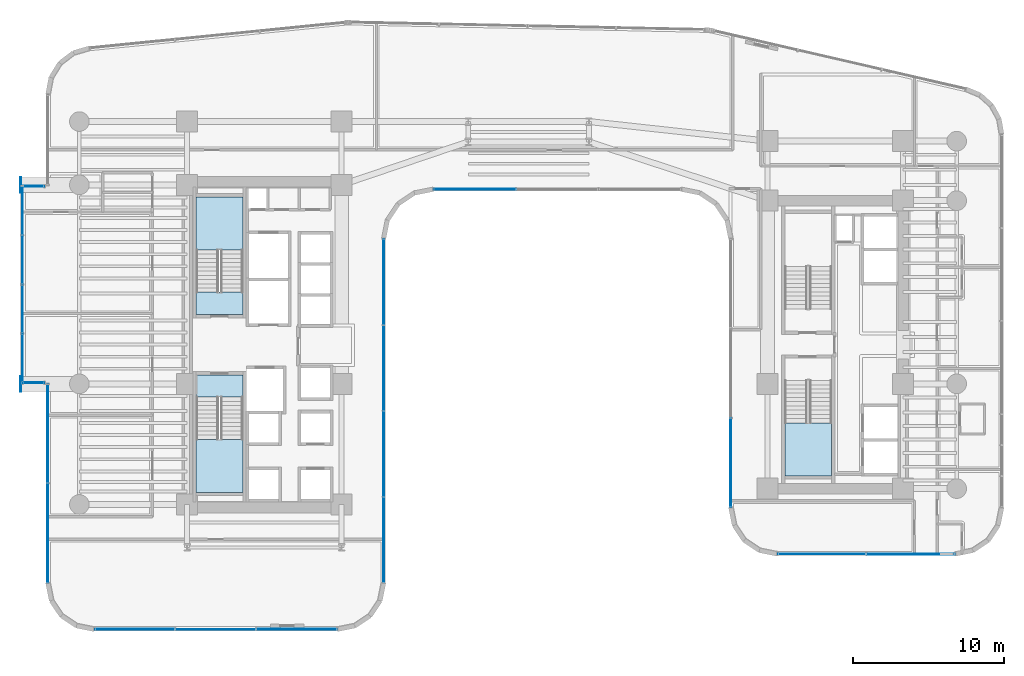
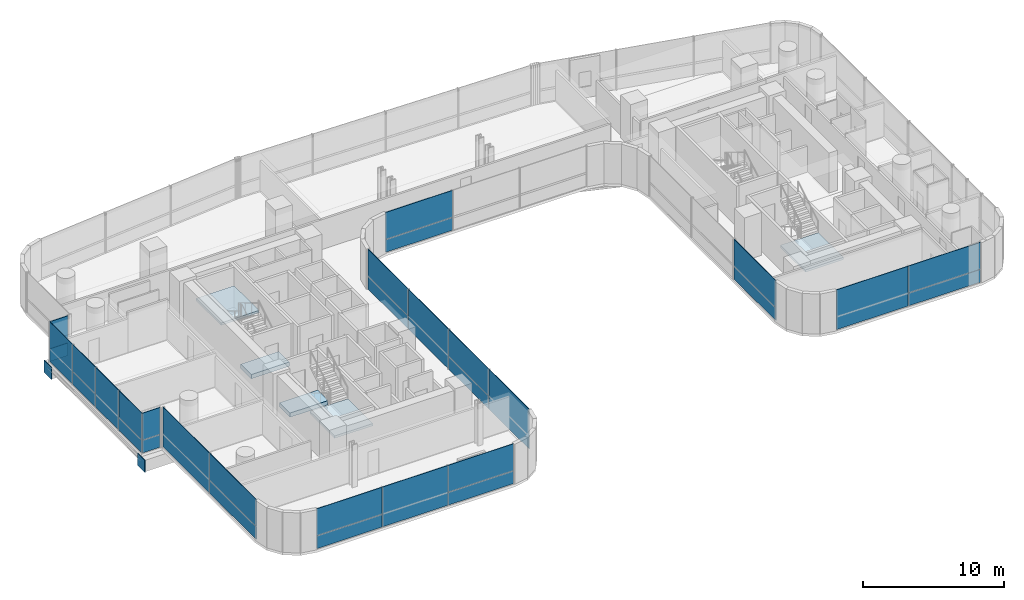
# One storey, part 27 of 39: 33 plates, 5 slabs, 12 elements without a shape of their own.
"""IFC4 building model written with IfcOpenShell, lengths in metres."""

from ifc_helpers import new_model, si_unit, direction, frame, origin, origin_2d, place, context, subcontext, project, spatial, polyline, rectangle, outline, extrude, source, transform, mapped, material, layer, layer_set, type_object, element, aggregate, save


model = new_model("IFC4")

# Units and contexts
model_context = context("Model", 3, precision=1e-05, world=origin(), true_north=direction((0.0, 1.0)))
body_context = subcontext(model_context, "Body", "Model", "MODEL_VIEW")
ifc_project = project(units=[si_unit("LENGTHUNIT", "METRE"), si_unit("AREAUNIT", "SQUARE_METRE"), si_unit("VOLUMEUNIT", "CUBIC_METRE"), si_unit("PLANEANGLEUNIT", "RADIAN"), si_unit("MASSUNIT", "GRAM", prefix="KILO")], contexts=[model_context])

# Site, building, storey
site_placement = place(None, origin())
site = spatial("IfcSite", under=ifc_project, at=site_placement, CompositionType="ELEMENT")
building_placement = place(site_placement, origin())
building = spatial("IfcBuilding", under=site, at=building_placement, Name="Valdorenza Pilgrim Sanctuary Tower", CompositionType="ELEMENT")
storey_placement = place(building_placement, frame((0.0, 0.0, 70.39990234375)))
storey = spatial("IfcBuildingStorey", under=building, at=storey_placement, Name="L17", CompositionType="ELEMENT", Elevation=70.39990234375)

# Stair, slab
ifc_material_1 = material(Name="Concrete C40/50", Category="concrete")
stair_type = type_object("IfcStairType", Name="STR-DOG-CORE", PredefinedType="HALF_TURN_STAIR", material=ifc_material_1)
stair_1_placement = place(storey_placement, origin())
stair_1 = element("IfcStair", 1, at=stair_1_placement, inside=storey, type_object=stair_type, Name="L17 ST-A1", PredefinedType="HALF_TURN_STAIR")
ifc_layer_1 = layer(ifc_material_1, 0.199951171875, Name="Concrete C40/50")
ifc_layer_set_1 = layer_set([ifc_layer_1], Name="Concrete C40/50")
slab_type_1 = type_object("IfcSlabType", Name="SLAB-STL-200", PredefinedType="LANDING", material=ifc_layer_set_1)
slab_1_placement = place(storey_placement, frame((0.0, 0.0, 1.650146484375)))
slab_1 = element("IfcSlab", 2, at=slab_1_placement, type_object=slab_type_1, Name="ST-A1 landing 1", PredefinedType="LANDING", context=body_context, shape_type="SweptSolid", body=[
    extrude(outline(polyline([(-18.93994140625, 6.280029296875), (-18.93994140625, 9.800048828125), (-22.050048828125, 9.800048828125), (-22.050048828125, 6.280029296875), (-18.93994140625, 6.280029296875)])), origin(), (0.0, 0.0, 1.0), 0.199951171875),
])
aggregate(stair_1, [slab_1])

stair_2_placement = place(storey_placement, origin())
stair_2 = element("IfcStair", 3, at=stair_2_placement, inside=storey, type_object=stair_type, Name="L17 ST-A2", PredefinedType="HALF_TURN_STAIR")
slab_2_placement = place(storey_placement, frame((0.0, 0.0, 1.650146484375)))
slab_2 = element("IfcSlab", 4, at=slab_2_placement, type_object=slab_type_1, Name="ST-A2 landing 1", PredefinedType="LANDING", context=body_context, shape_type="SweptSolid", body=[
    extrude(outline(polyline([(-22.050048828125, -6.280029296875), (-22.050048828125, -9.800048828125), (-18.93994140625, -9.800048828125), (-18.93994140625, -6.280029296875), (-22.050048828125, -6.280029296875)])), origin(), (0.0, 0.0, 1.0), 0.199951171875),
])
aggregate(stair_2, [slab_2])

stair_3_placement = place(storey_placement, origin())
stair_3 = element("IfcStair", 5, at=stair_3_placement, inside=storey, type_object=stair_type, Name="L17 ST-B2", PredefinedType="HALF_TURN_STAIR")
slab_3_placement = place(storey_placement, frame((0.0, 0.0, 1.650146484375)))
slab_3 = element("IfcSlab", 6, at=slab_3_placement, type_object=slab_type_1, Name="ST-B2 landing 1", PredefinedType="LANDING", context=body_context, shape_type="SweptSolid", body=[
    extrude(outline(polyline([(17.0, -5.179931640625), (17.0, -8.699951171875), (20.110107421875, -8.699951171875), (20.110107421875, -5.179931640625), (17.0, -5.179931640625)])), origin(), (0.0, 0.0, 1.0), 0.199951171875),
])
aggregate(stair_3, [slab_3])

# Slabs
ifc_material_2 = material(Name="Concrete C50/60", Category="concrete")
ifc_layer_2 = layer(ifc_material_2, 0.39990234375, Name="Concrete C50/60")
ifc_layer_set_2 = layer_set([ifc_layer_2], Name="Concrete C50/60")
slab_type_2 = type_object("IfcSlabType", Name="SLAB-TRF-400", PredefinedType="FLOOR", material=ifc_layer_set_2)
slab_4_placement = place(storey_placement, frame((0.0, 0.0, -0.35986328125)))
element("IfcSlab", 7, at=slab_4_placement, inside=storey, type_object=slab_type_2, Name="L17 ST-A1 Structural Stair Landing Bearing Slab", PredefinedType="FLOOR", context=body_context, shape_type="SweptSolid", body=[
    extrude(outline(polyline([(-22.050048828125, 2.0), (-18.93994140625, 2.0), (-18.93994140625, 3.485107421875), (-22.050048828125, 3.485107421875), (-22.050048828125, 2.0)])), origin(), (0.0, 0.0, 1.0), 0.35986328125),
])
slab_5_placement = place(storey_placement, frame((0.0, 0.0, -0.35986328125)))
element("IfcSlab", 8, at=slab_5_placement, inside=storey, type_object=slab_type_2, Name="L17 ST-A2 Structural Stair Landing Bearing Slab", PredefinedType="FLOOR", context=body_context, shape_type="SweptSolid", body=[
    extrude(outline(polyline([(-22.050048828125, -3.485107421875), (-18.93994140625, -3.485107421875), (-18.93994140625, -2.0), (-22.050048828125, -2.0), (-22.050048828125, -3.485107421875)])), origin(), (0.0, 0.0, 1.0), 0.35986328125),
])

# Plates
ifc_material_3 = material(Name="Steel ASTM A572 Grade 42", Category="steel")
ifc_layer_3 = layer(ifc_material_3, 0.06005859375, Name="Steel ASTM A572 Grade 42")
ifc_layer_set_3 = layer_set([ifc_layer_3], Name="Steel ASTM A572 Grade 42")
plate_type_1 = type_object("IfcPlateType", Name="PLT-CAP-60", PredefinedType="SHEET", material=ifc_layer_set_3)
shared_shape_1 = source(origin(), body_context, "Body", "SweptSolid", [
    extrude(rectangle(XDim=0.06005859375, YDim=1.0400390625, at=origin_2d()), origin(), (0.0, 0.0, 1.0), 1.0400390625),
])
for number, where, z_axis, x_axis, name in (
    (9, (-33.679931640625, 10.60009765625, -1.260009765625), (0.0, 0.0, 1.0), (1.0, 0.0, 0.0), "L17 BOX-WA-L17 Cantilever Tip End Cap N"),
    (10, (-33.679931640625, -2.60009765625, -1.260009765625), (0.0, 0.0, 1.0), (1.0, 0.0, 0.0), "L17 BOX-WA-L17 Cantilever Tip End Cap S"),
):
    element("IfcPlate", number, at=place(storey_placement, frame(where, z_axis=z_axis, x_axis=x_axis)), inside=storey, type_object=plate_type_1, Name=name, PredefinedType="SHEET", context=body_context, shape_type="MappedRepresentation", body=[
        mapped(shared_shape_1, transform((0.0, 0.0, 0.0), x_axis=(1.0, 0.0, 0.0), y_axis=(0.0, 1.0, 0.0), z_axis=(0.0, 0.0, 1.0), scale=1.0)),
    ])

# Curtain wall, plates
ifc_material_4 = material(Name="Curtain-wall IGU glazing", Category="glass")
curtain_wall_type_1 = type_object("IfcCurtainWallType", Name="CW-SYS-03", PredefinedType="NOTDEFINED", material=ifc_material_4)
curtain_wall_1_placement = place(storey_placement, origin())
curtain_wall_1 = element("IfcCurtainWall", 11, at=curtain_wall_1_placement, inside=storey, type_object=curtain_wall_type_1, Name="L17 Curtain Wall CW-L17-1-26", PredefinedType="NOTDEFINED")
ifc_material_5 = material(Name="Honed travertine limestone", Category="masonry")
ifc_layer_4 = layer(ifc_material_5, 0.050048828125, Name="Honed travertine limestone")
ifc_layer_set_4 = layer_set([ifc_layer_4], Name="Honed travertine limestone")
plate_type_2 = type_object("IfcPlateType", Name="CW-SPN-TRV", PredefinedType="USERDEFINED", material=ifc_layer_set_4)
shared_shape_2 = source(origin(), body_context, "Body", "SweptSolid", [
    extrude(rectangle(XDim=5.869140625, YDim=0.06005859375, at=origin_2d()), origin(), (0.0, 0.0, 1.0), 1.10009765625),
])
plate_1_placement = place(storey_placement, frame((25.344482421875, -13.889892578125, 0.010009765625), z_axis=(0.0, 0.0, 1.0), x_axis=(-1.0, 0.0, 0.0)))
plate_1 = element("IfcPlate", 12, at=plate_1_placement, type_object=plate_type_2, Name="CW-L17-1-26 Travertine Spandrel 1", ObjectType="SPANDREL", PredefinedType="USERDEFINED", context=body_context, shape_type="MappedRepresentation", body=[
    mapped(shared_shape_2, transform((0.0, 0.0, 0.0), x_axis=(1.0, 0.0, 0.0), y_axis=(0.0, 1.0, 0.0), z_axis=(0.0, 0.0, 1.0), scale=1.0)),
])
ifc_material_6 = material(Name="Ceramic-fritted low-E IGU glazing", Category="glass")
ifc_layer_5 = layer(ifc_material_6, 0.035888671875, Name="Ceramic-fritted low-E IGU glazing")
ifc_layer_set_5 = layer_set([ifc_layer_5], Name="Ceramic-fritted low-E IGU glazing")
plate_type_3 = type_object("IfcPlateType", Name="CW-GLZ-IGU", PredefinedType="USERDEFINED", material=ifc_layer_set_5)
shared_shape_3 = source(origin(), body_context, "Body", "SweptSolid", [
    extrude(rectangle(XDim=5.869140625, YDim=0.050048828125, at=origin_2d()), origin(), (0.0, 0.0, 1.0), 2.320068359375),
])
plate_2_placement = place(storey_placement, frame((25.344482421875, -13.889892578125, 1.1298828125), z_axis=(0.0, 0.0, 1.0), x_axis=(-1.0, 0.0, 0.0)))
plate_2 = element("IfcPlate", 13, at=plate_2_placement, type_object=plate_type_3, Name="CW-L17-1-26 Facade Panel 1", ObjectType="GLAZING", PredefinedType="USERDEFINED", context=body_context, shape_type="MappedRepresentation", body=[
    mapped(shared_shape_3, transform((0.0, 0.0, 0.0), x_axis=(1.0, 0.0, 0.0), y_axis=(0.0, 1.0, 0.0), z_axis=(0.0, 0.0, 1.0), scale=1.0)),
])
shared_shape_4 = source(origin(), body_context, "Body", "SweptSolid", [
    extrude(rectangle(XDim=5.869140625, YDim=0.050048828125, at=origin_2d()), origin(), (0.0, 0.0, 1.0), 3.43994140625),
])
plate_3_placement = place(storey_placement, frame((19.455322265625, -13.889892578125, 0.010009765625), z_axis=(0.0, 0.0, 1.0), x_axis=(-1.0, 0.0, 0.0)))
plate_3 = element("IfcPlate", 14, at=plate_3_placement, type_object=plate_type_3, Name="CW-L17-1-26 Full-Height Facade Panel 2", ObjectType="GLAZING", PredefinedType="USERDEFINED", context=body_context, shape_type="MappedRepresentation", body=[
    mapped(shared_shape_4, transform((0.0, 0.0, 0.0), x_axis=(1.0, 0.0, 0.0), y_axis=(0.0, 1.0, 0.0), z_axis=(0.0, 0.0, 1.0), scale=1.0)),
])
aggregate(curtain_wall_1, [plate_1, plate_2, plate_3])

curtain_wall_2_placement = place(storey_placement, origin())
curtain_wall_2 = element("IfcCurtainWall", 15, at=curtain_wall_2_placement, inside=storey, type_object=curtain_wall_type_1, Name="L17 Curtain Wall CW-L17-1-31", PredefinedType="NOTDEFINED")
shared_shape_5 = source(origin(), body_context, "Body", "SweptSolid", [
    extrude(rectangle(XDim=5.913330078125, YDim=0.06005859375, at=origin_2d()), origin(), (0.0, 0.0, 1.0), 1.10009765625),
])
plate_4_placement = place(storey_placement, frame((13.409912109375, -7.822509765625, 0.010009765625), z_axis=(0.0, 0.0, 1.0), x_axis=(0.0, 1.0, 0.0)))
plate_4 = element("IfcPlate", 16, at=plate_4_placement, type_object=plate_type_2, Name="CW-L17-1-31 Travertine Spandrel 1", ObjectType="SPANDREL", PredefinedType="USERDEFINED", context=body_context, shape_type="MappedRepresentation", body=[
    mapped(shared_shape_5, transform((0.0, 0.0, 0.0), x_axis=(1.0, 0.0, 0.0), y_axis=(0.0, 1.0, 0.0), z_axis=(0.0, 0.0, 1.0), scale=1.0)),
])
shared_shape_6 = source(origin(), body_context, "Body", "SweptSolid", [
    extrude(rectangle(XDim=5.913330078125, YDim=0.050048828125, at=origin_2d()), origin(), (0.0, 0.0, 1.0), 2.320068359375),
])
plate_5_placement = place(storey_placement, frame((13.409912109375, -7.822509765625, 1.1298828125), z_axis=(0.0, 0.0, 1.0), x_axis=(0.0, 1.0, 0.0)))
plate_5 = element("IfcPlate", 17, at=plate_5_placement, type_object=plate_type_3, Name="CW-L17-1-31 Facade Panel 1", ObjectType="GLAZING", PredefinedType="USERDEFINED", context=body_context, shape_type="MappedRepresentation", body=[
    mapped(shared_shape_6, transform((0.0, 0.0, 0.0), x_axis=(1.0, 0.0, 0.0), y_axis=(0.0, 1.0, 0.0), z_axis=(0.0, 0.0, 1.0), scale=1.0)),
])
aggregate(curtain_wall_2, [plate_4, plate_5])

curtain_wall_type_2 = type_object("IfcCurtainWallType", Name="CW-SYS-02", PredefinedType="NOTDEFINED", material=ifc_material_4)
curtain_wall_3_placement = place(storey_placement, origin())
curtain_wall_3 = element("IfcCurtainWall", 18, at=curtain_wall_3_placement, inside=storey, type_object=curtain_wall_type_2, Name="L17 Curtain Wall CW-L17-1-36", PredefinedType="NOTDEFINED")
shared_shape_7 = source(origin(), body_context, "Body", "SweptSolid", [
    extrude(rectangle(XDim=5.453857421875, YDim=0.06005859375, at=origin_2d()), origin(), (0.0, 0.0, 1.0), 1.10009765625),
])
plate_6_placement = place(storey_placement, frame((-3.573974609375, 10.31005859375, 0.010009765625), z_axis=(0.0, 0.0, 1.0), x_axis=(-1.0, 0.0, 0.0)))
plate_6 = element("IfcPlate", 19, at=plate_6_placement, type_object=plate_type_2, Name="CW-L17-1-36 Travertine Spandrel 3", ObjectType="SPANDREL", PredefinedType="USERDEFINED", context=body_context, shape_type="MappedRepresentation", body=[
    mapped(shared_shape_7, transform((0.0, 0.0, 0.0), x_axis=(1.0, 0.0, 0.0), y_axis=(0.0, 1.0, 0.0), z_axis=(0.0, 0.0, 1.0), scale=1.0)),
])
shared_shape_8 = source(origin(), body_context, "Body", "SweptSolid", [
    extrude(rectangle(XDim=5.453857421875, YDim=0.050048828125, at=origin_2d()), origin(), (0.0, 0.0, 1.0), 2.320068359375),
])
plate_7_placement = place(storey_placement, frame((-3.573974609375, 10.31005859375, 1.1298828125), z_axis=(0.0, 0.0, 1.0), x_axis=(-1.0, 0.0, 0.0)))
plate_7 = element("IfcPlate", 20, at=plate_7_placement, type_object=plate_type_3, Name="CW-L17-1-36 Facade Panel 3", ObjectType="GLAZING", PredefinedType="USERDEFINED", context=body_context, shape_type="MappedRepresentation", body=[
    mapped(shared_shape_8, transform((0.0, 0.0, 0.0), x_axis=(1.0, 0.0, 0.0), y_axis=(0.0, 1.0, 0.0), z_axis=(0.0, 0.0, 1.0), scale=1.0)),
])
aggregate(curtain_wall_3, [plate_6, plate_7])

curtain_wall_4_placement = place(storey_placement, origin())
curtain_wall_4 = element("IfcCurtainWall", 21, at=curtain_wall_4_placement, inside=storey, type_object=curtain_wall_type_2, Name="L17 Curtain Wall CW-L17-1-41", PredefinedType="NOTDEFINED")
shared_shape_9 = source(origin(), body_context, "Body", "SweptSolid", [
    extrude(rectangle(XDim=5.679931640625, YDim=0.06005859375, at=origin_2d()), origin(), (0.0, 0.0, 1.0), 1.10009765625),
])
plate_8_placement = place(storey_placement, frame((-9.610107421875, 4.160888671875, 0.010009765625), z_axis=(0.0, 0.0, 1.0), x_axis=(0.0, -1.0, 0.0)))
plate_8 = element("IfcPlate", 22, at=plate_8_placement, type_object=plate_type_2, Name="CW-L17-1-41 Travertine Spandrel 1", ObjectType="SPANDREL", PredefinedType="USERDEFINED", context=body_context, shape_type="MappedRepresentation", body=[
    mapped(shared_shape_9, transform((0.0, 0.0, 0.0), x_axis=(1.0, 0.0, 0.0), y_axis=(0.0, 1.0, 0.0), z_axis=(0.0, 0.0, 1.0), scale=1.0)),
])
plate_9_placement = place(storey_placement, frame((-9.610107421875, -7.2392578125, 0.010009765625), z_axis=(0.0, 0.0, 1.0), x_axis=(0.0, -1.0, 0.0)))
plate_9 = element("IfcPlate", 23, at=plate_9_placement, type_object=plate_type_2, Name="CW-L17-1-41 Travertine Spandrel 3", ObjectType="SPANDREL", PredefinedType="USERDEFINED", context=body_context, shape_type="MappedRepresentation", body=[
    mapped(shared_shape_9, transform((0.0, 0.0, 0.0), x_axis=(1.0, 0.0, 0.0), y_axis=(0.0, 1.0, 0.0), z_axis=(0.0, 0.0, 1.0), scale=1.0)),
])
shared_shape_10 = source(origin(), body_context, "Body", "SweptSolid", [
    extrude(rectangle(XDim=5.679931640625, YDim=0.050048828125, at=origin_2d()), origin(), (0.0, 0.0, 1.0), 2.320068359375),
])
plate_10_placement = place(storey_placement, frame((-9.610107421875, 4.160888671875, 1.1298828125), z_axis=(0.0, 0.0, 1.0), x_axis=(0.0, -1.0, 0.0)))
plate_10 = element("IfcPlate", 24, at=plate_10_placement, type_object=plate_type_3, Name="CW-L17-1-41 Facade Panel 1", ObjectType="GLAZING", PredefinedType="USERDEFINED", context=body_context, shape_type="MappedRepresentation", body=[
    mapped(shared_shape_10, transform((0.0, 0.0, 0.0), x_axis=(1.0, 0.0, 0.0), y_axis=(0.0, 1.0, 0.0), z_axis=(0.0, 0.0, 1.0), scale=1.0)),
])
plate_11_placement = place(storey_placement, frame((-9.610107421875, -7.2392578125, 1.1298828125), z_axis=(0.0, 0.0, 1.0), x_axis=(0.0, -1.0, 0.0)))
plate_11 = element("IfcPlate", 25, at=plate_11_placement, type_object=plate_type_3, Name="CW-L17-1-41 Facade Panel 3", ObjectType="GLAZING", PredefinedType="USERDEFINED", context=body_context, shape_type="MappedRepresentation", body=[
    mapped(shared_shape_10, transform((0.0, 0.0, 0.0), x_axis=(1.0, 0.0, 0.0), y_axis=(0.0, 1.0, 0.0), z_axis=(0.0, 0.0, 1.0), scale=1.0)),
])
shared_shape_11 = source(origin(), body_context, "Body", "SweptSolid", [
    extrude(rectangle(XDim=5.679931640625, YDim=0.050048828125, at=origin_2d()), origin(), (0.0, 0.0, 1.0), 3.43994140625),
])
plate_12_placement = place(storey_placement, frame((-9.610107421875, -1.539306640625, 0.010009765625), z_axis=(0.0, 0.0, 1.0), x_axis=(0.0, -1.0, 0.0)))
plate_12 = element("IfcPlate", 26, at=plate_12_placement, type_object=plate_type_3, Name="CW-L17-1-41 Full-Height Facade Panel 2", ObjectType="GLAZING", PredefinedType="USERDEFINED", context=body_context, shape_type="MappedRepresentation", body=[
    mapped(shared_shape_11, transform((0.0, 0.0, 0.0), x_axis=(1.0, 0.0, 0.0), y_axis=(0.0, 1.0, 0.0), z_axis=(0.0, 0.0, 1.0), scale=1.0)),
])
plate_13_placement = place(storey_placement, frame((-9.610107421875, -12.939208984375, 0.010009765625), z_axis=(0.0, 0.0, 1.0), x_axis=(0.0, -1.0, 0.0)))
plate_13 = element("IfcPlate", 27, at=plate_13_placement, type_object=plate_type_3, Name="CW-L17-1-41 Full-Height Facade Panel 4", ObjectType="GLAZING", PredefinedType="USERDEFINED", context=body_context, shape_type="MappedRepresentation", body=[
    mapped(shared_shape_11, transform((0.0, 0.0, 0.0), x_axis=(1.0, 0.0, 0.0), y_axis=(0.0, 1.0, 0.0), z_axis=(0.0, 0.0, 1.0), scale=1.0)),
])
aggregate(curtain_wall_4, [plate_8, plate_10, plate_12, plate_9, plate_11, plate_13])

curtain_wall_5_placement = place(storey_placement, origin())
curtain_wall_5 = element("IfcCurtainWall", 28, at=curtain_wall_5_placement, inside=storey, type_object=curtain_wall_type_2, Name="L17 Curtain Wall CW-L17-1-46", PredefinedType="NOTDEFINED")
shared_shape_12 = source(origin(), body_context, "Body", "SweptSolid", [
    extrude(rectangle(XDim=5.339599609375, YDim=0.06005859375, at=origin_2d()), origin(), (0.0, 0.0, 1.0), 1.10009765625),
])
plate_14_placement = place(storey_placement, frame((-15.390380859375, -18.889892578125, 0.010009765625), z_axis=(0.0, 0.0, 1.0), x_axis=(-1.0, 0.0, 0.0)))
plate_14 = element("IfcPlate", 29, at=plate_14_placement, type_object=plate_type_2, Name="CW-L17-1-46 Travertine Spandrel 1", ObjectType="SPANDREL", PredefinedType="USERDEFINED", context=body_context, shape_type="MappedRepresentation", body=[
    mapped(shared_shape_12, transform((0.0, 0.0, 0.0), x_axis=(1.0, 0.0, 0.0), y_axis=(0.0, 1.0, 0.0), z_axis=(0.0, 0.0, 1.0), scale=1.0)),
])
plate_15_placement = place(storey_placement, frame((-26.109619140625, -18.889892578125, 0.010009765625), z_axis=(0.0, 0.0, 1.0), x_axis=(-1.0, 0.0, 0.0)))
plate_15 = element("IfcPlate", 30, at=plate_15_placement, type_object=plate_type_2, Name="CW-L17-1-46 Travertine Spandrel 3", ObjectType="SPANDREL", PredefinedType="USERDEFINED", context=body_context, shape_type="MappedRepresentation", body=[
    mapped(shared_shape_12, transform((0.0, 0.0, 0.0), x_axis=(1.0, 0.0, 0.0), y_axis=(0.0, 1.0, 0.0), z_axis=(0.0, 0.0, 1.0), scale=1.0)),
])
shared_shape_13 = source(origin(), body_context, "Body", "SweptSolid", [
    extrude(rectangle(XDim=5.339599609375, YDim=0.050048828125, at=origin_2d()), origin(), (0.0, 0.0, 1.0), 2.320068359375),
])
plate_16_placement = place(storey_placement, frame((-15.390380859375, -18.889892578125, 1.1298828125), z_axis=(0.0, 0.0, 1.0), x_axis=(-1.0, 0.0, 0.0)))
plate_16 = element("IfcPlate", 31, at=plate_16_placement, type_object=plate_type_3, Name="CW-L17-1-46 Facade Panel 1", ObjectType="GLAZING", PredefinedType="USERDEFINED", context=body_context, shape_type="MappedRepresentation", body=[
    mapped(shared_shape_13, transform((0.0, 0.0, 0.0), x_axis=(1.0, 0.0, 0.0), y_axis=(0.0, 1.0, 0.0), z_axis=(0.0, 0.0, 1.0), scale=1.0)),
])
plate_17_placement = place(storey_placement, frame((-26.109619140625, -18.889892578125, 1.1298828125), z_axis=(0.0, 0.0, 1.0), x_axis=(-1.0, 0.0, 0.0)))
plate_17 = element("IfcPlate", 32, at=plate_17_placement, type_object=plate_type_3, Name="CW-L17-1-46 Facade Panel 3", ObjectType="GLAZING", PredefinedType="USERDEFINED", context=body_context, shape_type="MappedRepresentation", body=[
    mapped(shared_shape_13, transform((0.0, 0.0, 0.0), x_axis=(1.0, 0.0, 0.0), y_axis=(0.0, 1.0, 0.0), z_axis=(0.0, 0.0, 1.0), scale=1.0)),
])
shared_shape_14 = source(origin(), body_context, "Body", "SweptSolid", [
    extrude(rectangle(XDim=5.339599609375, YDim=0.050048828125, at=origin_2d()), origin(), (0.0, 0.0, 1.0), 3.43994140625),
])
plate_18_placement = place(storey_placement, frame((-20.75, -18.889892578125, 0.010009765625), z_axis=(0.0, 0.0, 1.0), x_axis=(-1.0, 0.0, 0.0)))
plate_18 = element("IfcPlate", 33, at=plate_18_placement, type_object=plate_type_3, Name="CW-L17-1-46 Full-Height Facade Panel 2", ObjectType="GLAZING", PredefinedType="USERDEFINED", context=body_context, shape_type="MappedRepresentation", body=[
    mapped(shared_shape_14, transform((0.0, 0.0, 0.0), x_axis=(1.0, 0.0, 0.0), y_axis=(0.0, 1.0, 0.0), z_axis=(0.0, 0.0, 1.0), scale=1.0)),
])
aggregate(curtain_wall_5, [plate_14, plate_16, plate_18, plate_15, plate_17])

# Curtain wall, plate
curtain_wall_6_placement = place(storey_placement, origin())
curtain_wall_6 = element("IfcCurtainWall", 34, at=curtain_wall_6_placement, inside=storey, type_object=curtain_wall_type_2, Name="L17 Curtain Wall CW-L17-BOX-WA-L17-S", PredefinedType="NOTDEFINED")
shared_shape_15 = source(origin(), body_context, "Body", "SweptSolid", [
    extrude(rectangle(XDim=1.43994140625, YDim=0.06005859375, at=origin_2d()), origin(), (0.0, 0.0, 1.0), 1.10009765625),
])
plate_19_placement = place(storey_placement, frame((-32.840087890625, -2.52001953125, 0.010009765625), z_axis=(0.0, 0.0, 1.0), x_axis=(-1.0, 0.0, 0.0)))
plate_19 = element("IfcPlate", 35, at=plate_19_placement, type_object=plate_type_2, Name="CW-L17-BOX-WA-L17-S Travertine Spandrel 1", ObjectType="SPANDREL", PredefinedType="USERDEFINED", context=body_context, shape_type="MappedRepresentation", body=[
    mapped(shared_shape_15, transform((0.0, 0.0, 0.0), x_axis=(1.0, 0.0, 0.0), y_axis=(0.0, 1.0, 0.0), z_axis=(0.0, 0.0, 1.0), scale=1.0)),
])

curtain_wall_7_placement = place(storey_placement, origin())
curtain_wall_7 = element("IfcCurtainWall", 36, at=curtain_wall_7_placement, inside=storey, type_object=curtain_wall_type_2, Name="L17 Curtain Wall CW-L17-BOX-WA-L17-N", PredefinedType="NOTDEFINED")
plate_20_placement = place(storey_placement, frame((-32.840087890625, 10.52001953125, 0.010009765625), z_axis=(0.0, 0.0, 1.0), x_axis=(1.0, 0.0, 0.0)))
plate_20 = element("IfcPlate", 37, at=plate_20_placement, type_object=plate_type_2, Name="CW-L17-BOX-WA-L17-N Travertine Spandrel 1", ObjectType="SPANDREL", PredefinedType="USERDEFINED", context=body_context, shape_type="MappedRepresentation", body=[
    mapped(shared_shape_15, transform((0.0, 0.0, 0.0), x_axis=(1.0, 0.0, 0.0), y_axis=(0.0, 1.0, 0.0), z_axis=(0.0, 0.0, 1.0), scale=1.0)),
])

# Plate
shared_shape_16 = source(origin(), body_context, "Body", "SweptSolid", [
    extrude(rectangle(XDim=1.43994140625, YDim=0.050048828125, at=origin_2d()), origin(), (0.0, 0.0, 1.0), 2.320068359375),
])
plate_21_placement = place(storey_placement, frame((-32.840087890625, -2.52001953125, 1.1298828125), z_axis=(0.0, 0.0, 1.0), x_axis=(-1.0, 0.0, 0.0)))
plate_21 = element("IfcPlate", 38, at=plate_21_placement, type_object=plate_type_3, Name="CW-L17-BOX-WA-L17-S Facade Panel 1", ObjectType="GLAZING", PredefinedType="USERDEFINED", context=body_context, shape_type="MappedRepresentation", body=[
    mapped(shared_shape_16, transform((0.0, 0.0, 0.0), x_axis=(1.0, 0.0, 0.0), y_axis=(0.0, 1.0, 0.0), z_axis=(0.0, 0.0, 1.0), scale=1.0)),
])

aggregate(curtain_wall_6, [plate_19, plate_21])

plate_22_placement = place(storey_placement, frame((-32.840087890625, 10.52001953125, 1.1298828125), z_axis=(0.0, 0.0, 1.0), x_axis=(1.0, 0.0, 0.0)))
plate_22 = element("IfcPlate", 39, at=plate_22_placement, type_object=plate_type_3, Name="CW-L17-BOX-WA-L17-N Facade Panel 1", ObjectType="GLAZING", PredefinedType="USERDEFINED", context=body_context, shape_type="MappedRepresentation", body=[
    mapped(shared_shape_16, transform((0.0, 0.0, 0.0), x_axis=(1.0, 0.0, 0.0), y_axis=(0.0, 1.0, 0.0), z_axis=(0.0, 0.0, 1.0), scale=1.0)),
])

aggregate(curtain_wall_7, [plate_20, plate_22])

# Curtain wall, plates
curtain_wall_8_placement = place(storey_placement, origin())
curtain_wall_8 = element("IfcCurtainWall", 40, at=curtain_wall_8_placement, inside=storey, type_object=curtain_wall_type_2, Name="L17 Curtain Wall CW-L17-1-1S1", PredefinedType="NOTDEFINED")
shared_shape_17 = source(origin(), body_context, "Body", "SweptSolid", [
    extrude(rectangle(XDim=6.57470703125, YDim=0.06005859375, at=origin_2d()), origin(), (0.0, 0.0, 1.0), 1.10009765625),
])
plate_23_placement = place(storey_placement, frame((-31.889892578125, -12.491943359375, 0.010009765625), z_axis=(0.0, 0.0, 1.0), x_axis=(0.0, 1.0, 0.0)))
plate_23 = element("IfcPlate", 41, at=plate_23_placement, type_object=plate_type_2, Name="CW-L17-1-1S1 Travertine Spandrel 1", ObjectType="SPANDREL", PredefinedType="USERDEFINED", context=body_context, shape_type="MappedRepresentation", body=[
    mapped(shared_shape_17, transform((0.0, 0.0, 0.0), x_axis=(1.0, 0.0, 0.0), y_axis=(0.0, 1.0, 0.0), z_axis=(0.0, 0.0, 1.0), scale=1.0)),
])
shared_shape_18 = source(origin(), body_context, "Body", "SweptSolid", [
    extrude(rectangle(XDim=6.57470703125, YDim=0.050048828125, at=origin_2d()), origin(), (0.0, 0.0, 1.0), 2.320068359375),
])
plate_24_placement = place(storey_placement, frame((-31.889892578125, -12.491943359375, 1.1298828125), z_axis=(0.0, 0.0, 1.0), x_axis=(0.0, 1.0, 0.0)))
plate_24 = element("IfcPlate", 42, at=plate_24_placement, type_object=plate_type_3, Name="CW-L17-1-1S1 Facade Panel 1", ObjectType="GLAZING", PredefinedType="USERDEFINED", context=body_context, shape_type="MappedRepresentation", body=[
    mapped(shared_shape_18, transform((0.0, 0.0, 0.0), x_axis=(1.0, 0.0, 0.0), y_axis=(0.0, 1.0, 0.0), z_axis=(0.0, 0.0, 1.0), scale=1.0)),
])
shared_shape_19 = source(origin(), body_context, "Body", "SweptSolid", [
    extrude(rectangle(XDim=6.57470703125, YDim=0.050048828125, at=origin_2d()), origin(), (0.0, 0.0, 1.0), 3.43994140625),
])
plate_25_placement = place(storey_placement, frame((-31.889892578125, -5.897216796875, 0.010009765625), z_axis=(0.0, 0.0, 1.0), x_axis=(0.0, 1.0, 0.0)))
plate_25 = element("IfcPlate", 43, at=plate_25_placement, type_object=plate_type_3, Name="CW-L17-1-1S1 Full-Height Facade Panel 2", ObjectType="GLAZING", PredefinedType="USERDEFINED", context=body_context, shape_type="MappedRepresentation", body=[
    mapped(shared_shape_19, transform((0.0, 0.0, 0.0), x_axis=(1.0, 0.0, 0.0), y_axis=(0.0, 1.0, 0.0), z_axis=(0.0, 0.0, 1.0), scale=1.0)),
])
aggregate(curtain_wall_8, [plate_23, plate_24, plate_25])

curtain_wall_9_placement = place(storey_placement, origin())
curtain_wall_9 = element("IfcCurtainWall", 44, at=curtain_wall_9_placement, inside=storey, type_object=curtain_wall_type_2, Name="L17 Curtain Wall CW-L17-BOX-WA-L17-F", PredefinedType="NOTDEFINED")
shared_shape_20 = source(origin(), body_context, "Body", "SweptSolid", [
    extrude(rectangle(XDim=3.239990234375, YDim=0.06005859375, at=origin_2d()), origin(), (0.0, 0.0, 1.0), 1.10009765625),
])
plate_26_placement = place(storey_placement, frame((-33.570068359375, -0.889892578125, 0.010009765625), z_axis=(0.0, 0.0, 1.0), x_axis=(0.0, 1.0, 0.0)))
plate_26 = element("IfcPlate", 45, at=plate_26_placement, type_object=plate_type_2, Name="CW-L17-BOX-WA-L17-F Travertine Spandrel 1", ObjectType="SPANDREL", PredefinedType="USERDEFINED", context=body_context, shape_type="MappedRepresentation", body=[
    mapped(shared_shape_20, transform((0.0, 0.0, 0.0), x_axis=(1.0, 0.0, 0.0), y_axis=(0.0, 1.0, 0.0), z_axis=(0.0, 0.0, 1.0), scale=1.0)),
])
plate_27_placement = place(storey_placement, frame((-33.570068359375, 5.6298828125, 0.010009765625), z_axis=(0.0, 0.0, 1.0), x_axis=(0.0, 1.0, 0.0)))
plate_27 = element("IfcPlate", 46, at=plate_27_placement, type_object=plate_type_2, Name="CW-L17-BOX-WA-L17-F Travertine Spandrel 3", ObjectType="SPANDREL", PredefinedType="USERDEFINED", context=body_context, shape_type="MappedRepresentation", body=[
    mapped(shared_shape_20, transform((0.0, 0.0, 0.0), x_axis=(1.0, 0.0, 0.0), y_axis=(0.0, 1.0, 0.0), z_axis=(0.0, 0.0, 1.0), scale=1.0)),
])
shared_shape_21 = source(origin(), body_context, "Body", "SweptSolid", [
    extrude(rectangle(XDim=3.239990234375, YDim=0.050048828125, at=origin_2d()), origin(), (0.0, 0.0, 1.0), 2.320068359375),
])
plate_28_placement = place(storey_placement, frame((-33.570068359375, -0.889892578125, 1.1298828125), z_axis=(0.0, 0.0, 1.0), x_axis=(0.0, 1.0, 0.0)))
plate_28 = element("IfcPlate", 47, at=plate_28_placement, type_object=plate_type_3, Name="CW-L17-BOX-WA-L17-F Facade Panel 1", ObjectType="GLAZING", PredefinedType="USERDEFINED", context=body_context, shape_type="MappedRepresentation", body=[
    mapped(shared_shape_21, transform((0.0, 0.0, 0.0), x_axis=(1.0, 0.0, 0.0), y_axis=(0.0, 1.0, 0.0), z_axis=(0.0, 0.0, 1.0), scale=1.0)),
])
plate_29_placement = place(storey_placement, frame((-33.570068359375, 5.6298828125, 1.1298828125), z_axis=(0.0, 0.0, 1.0), x_axis=(0.0, 1.0, 0.0)))
plate_29 = element("IfcPlate", 48, at=plate_29_placement, type_object=plate_type_3, Name="CW-L17-BOX-WA-L17-F Facade Panel 3", ObjectType="GLAZING", PredefinedType="USERDEFINED", context=body_context, shape_type="MappedRepresentation", body=[
    mapped(shared_shape_21, transform((0.0, 0.0, 0.0), x_axis=(1.0, 0.0, 0.0), y_axis=(0.0, 1.0, 0.0), z_axis=(0.0, 0.0, 1.0), scale=1.0)),
])
shared_shape_22 = source(origin(), body_context, "Body", "SweptSolid", [
    extrude(rectangle(XDim=3.239990234375, YDim=0.050048828125, at=origin_2d()), origin(), (0.0, 0.0, 1.0), 3.43994140625),
])
plate_30_placement = place(storey_placement, frame((-33.570068359375, 2.3701171875, 0.010009765625), z_axis=(0.0, 0.0, 1.0), x_axis=(0.0, 1.0, 0.0)))
plate_30 = element("IfcPlate", 49, at=plate_30_placement, type_object=plate_type_3, Name="CW-L17-BOX-WA-L17-F Full-Height Facade Panel 2", ObjectType="GLAZING", PredefinedType="USERDEFINED", context=body_context, shape_type="MappedRepresentation", body=[
    mapped(shared_shape_22, transform((0.0, 0.0, 0.0), x_axis=(1.0, 0.0, 0.0), y_axis=(0.0, 1.0, 0.0), z_axis=(0.0, 0.0, 1.0), scale=1.0)),
])
plate_31_placement = place(storey_placement, frame((-33.570068359375, 8.889892578125, 0.010009765625), z_axis=(0.0, 0.0, 1.0), x_axis=(0.0, 1.0, 0.0)))
plate_31 = element("IfcPlate", 50, at=plate_31_placement, type_object=plate_type_3, Name="CW-L17-BOX-WA-L17-F Full-Height Facade Panel 4", ObjectType="GLAZING", PredefinedType="USERDEFINED", context=body_context, shape_type="MappedRepresentation", body=[
    mapped(shared_shape_22, transform((0.0, 0.0, 0.0), x_axis=(1.0, 0.0, 0.0), y_axis=(0.0, 1.0, 0.0), z_axis=(0.0, 0.0, 1.0), scale=1.0)),
])
aggregate(curtain_wall_9, [plate_26, plate_28, plate_30, plate_27, plate_29, plate_31])

save(model, "model.ifc")
